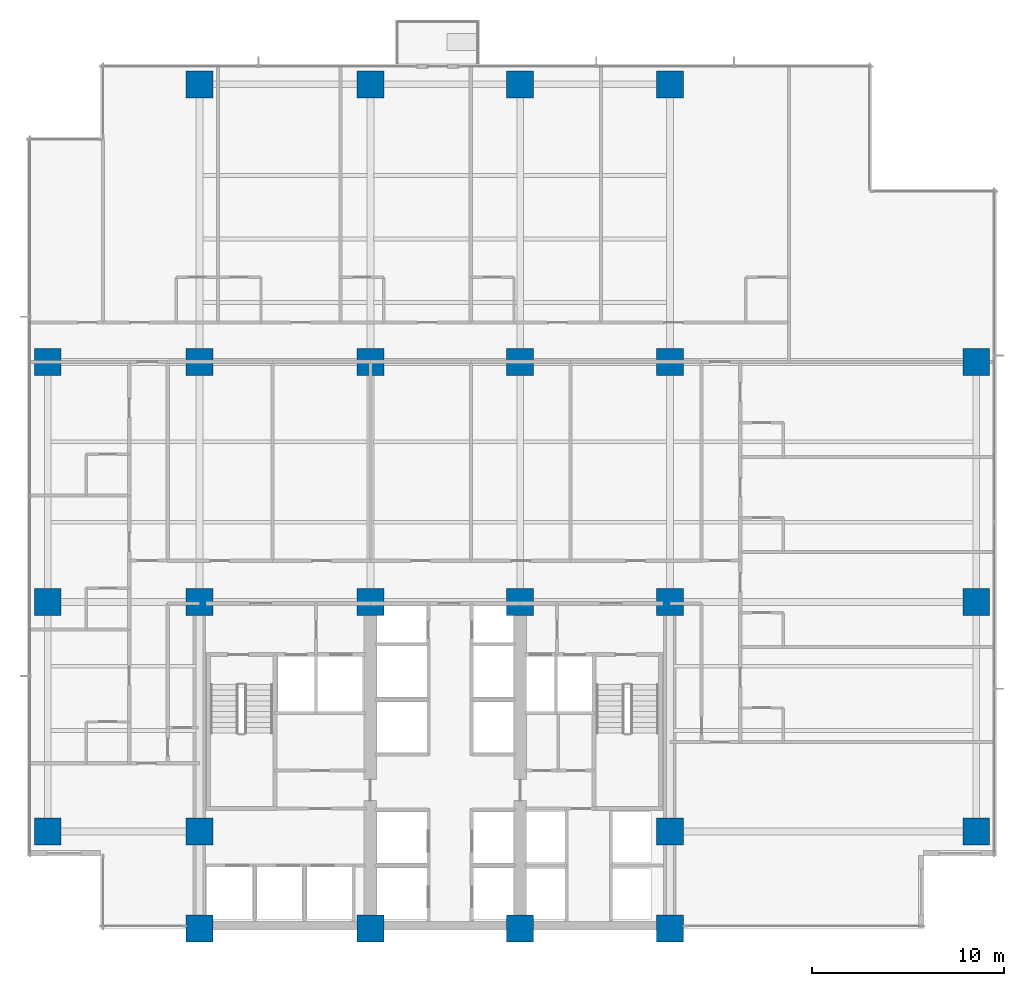
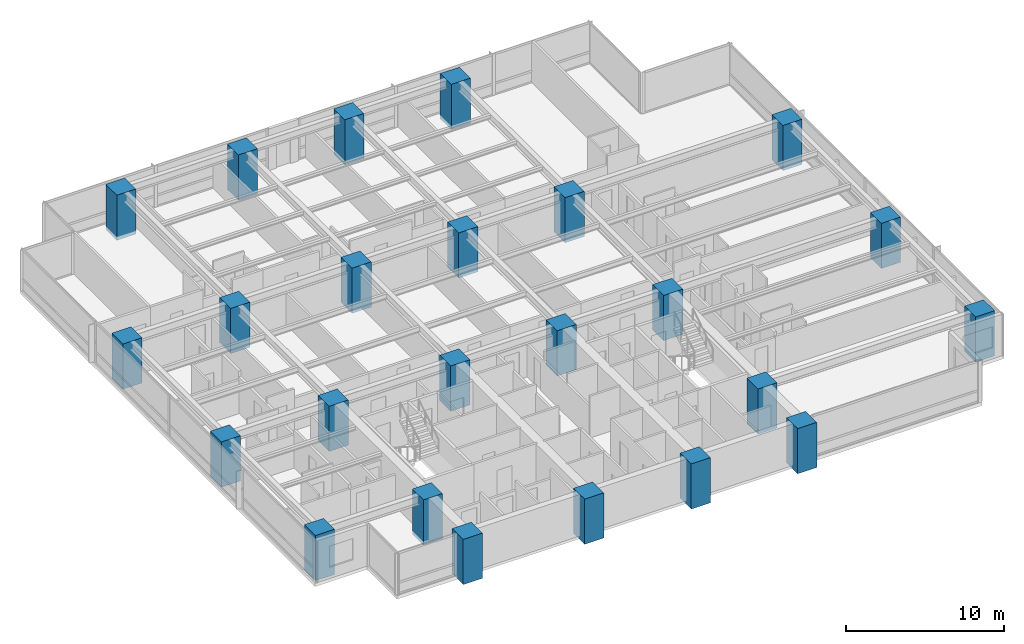
# One storey, part 1 of 16: 24 columns.
"""IFC4 building model written with IfcOpenShell, lengths in metres."""

from ifc_helpers import new_model, si_unit, direction, frame, origin, origin_2d, place, context, subcontext, project, spatial, rectangle, extrude, material, material_profile, profile_set, type_object, element, save


model = new_model("IFC4")

# Units and contexts
model_context = context("Model", 3, precision=1e-05, world=origin(), true_north=direction((0.0, 1.0)))
body_context = subcontext(model_context, "Body", "Model", "MODEL_VIEW")
ifc_project = project(units=[si_unit("LENGTHUNIT", "METRE"), si_unit("AREAUNIT", "SQUARE_METRE"), si_unit("VOLUMEUNIT", "CUBIC_METRE"), si_unit("PLANEANGLEUNIT", "RADIAN"), si_unit("MASSUNIT", "GRAM", prefix="KILO")], contexts=[model_context])

# Site, building, storey
site_placement = place(None, origin())
site = spatial("IfcSite", under=ifc_project, at=site_placement, CompositionType="ELEMENT")
building_placement = place(site_placement, origin())
building = spatial("IfcBuilding", under=site, at=building_placement, Name="Qalmaran Belvedere Hotel", CompositionType="ELEMENT")
storey_placement = place(building_placement, frame((0.0, 0.0, 36.89990234375)))
storey = spatial("IfcBuildingStorey", under=building, at=storey_placement, Name="L08", CompositionType="ELEMENT", Elevation=36.89990234375)

# Columns
ifc_material = material(Name="Concrete C60/75", Category="concrete")
ifc_material_profile = material_profile(ifc_material, rectangle(XDim=1.39990234375, YDim=1.39990234375, at=origin_2d()), Name="CC1400X1400")
ifc_profile_set = profile_set([ifc_material_profile], Name="Concrete C60/75")
column_type = type_object("IfcColumnType", Name="COL-Z1-CC1400", PredefinedType="COLUMN", material=ifc_profile_set)
for number, where, z_axis, x_axis, name in (
    (1, (20.300048828125, 3.5, -0.27978515625), (0.0, 0.0, 1.0), (1.0, 0.0, 0.0), "L08 Column C4B"),
    (2, (29.199951171875, 3.5, -0.27978515625), (0.0, 0.0, 1.0), (1.0, 0.0, 0.0), "L08 Column C5B"),
    (3, (37.0, 3.5, -0.27978515625), (0.0, 0.0, 1.0), (1.0, 0.0, 0.0), "L08 Column C6B"),
    (4, (44.800048828125, 3.5, -0.27978515625), (0.0, 0.0, 1.0), (1.0, 0.0, 0.0), "L08 Column C7B"),
    (5, (20.300048828125, 8.550048828125, -0.27978515625), (0.0, 0.0, 1.0), (1.0, 0.0, 0.0), "L08 Column C4C"),
    (6, (44.800048828125, 8.550048828125, -0.27978515625), (0.0, 0.0, 1.0), (1.0, 0.0, 0.0), "L08 Column C7C"),
    (7, (20.300048828125, 20.5, -0.27978515625), (0.0, 0.0, 1.0), (1.0, 0.0, 0.0), "L08 Column C4D"),
    (8, (29.199951171875, 20.5, -0.27978515625), (0.0, 0.0, 1.0), (1.0, 0.0, 0.0), "L08 Column C5D"),
    (9, (37.0, 20.5, -0.27978515625), (0.0, 0.0, 1.0), (1.0, 0.0, 0.0), "L08 Column C6D"),
    (10, (44.800048828125, 20.5, -0.27978515625), (0.0, 0.0, 1.0), (1.0, 0.0, 0.0), "L08 Column C7D"),
    (11, (20.300048828125, 33.0, -0.27978515625), (0.0, 0.0, 1.0), (1.0, 0.0, 0.0), "L08 Column C4F"),
    (12, (29.199951171875, 33.0, -0.27978515625), (0.0, 0.0, 1.0), (1.0, 0.0, 0.0), "L08 Column C5F"),
    (13, (37.0, 33.0, -0.27978515625), (0.0, 0.0, 1.0), (1.0, 0.0, 0.0), "L08 Column C6F"),
    (14, (44.800048828125, 33.0, -0.27978515625), (0.0, 0.0, 1.0), (1.0, 0.0, 0.0), "L08 Column C7F"),
    (15, (12.39990234375, 8.550048828125, -0.27978515625), (0.0, 0.0, 1.0), (1.0, 0.0, 0.0), "L08 Column CW1"),
    (16, (12.39990234375, 20.5, -0.27978515625), (0.0, 0.0, 1.0), (1.0, 0.0, 0.0), "L08 Column CW3"),
    (17, (12.39990234375, 33.0, -0.27978515625), (0.0, 0.0, 1.0), (1.0, 0.0, 0.0), "L08 Column CW4"),
    (18, (60.75, 8.550048828125, -0.27978515625), (0.0, 0.0, 1.0), (1.0, 0.0, 0.0), "L08 Column CE1"),
    (19, (60.75, 20.5, -0.27978515625), (0.0, 0.0, 1.0), (1.0, 0.0, 0.0), "L08 Column CE3"),
    (20, (60.75, 33.0, -0.27978515625), (0.0, 0.0, 1.0), (1.0, 0.0, 0.0), "L08 Column CE4"),
    (21, (20.300048828125, 47.449951171875, -0.27978515625), (0.0, 0.0, 1.0), (1.0, 0.0, 0.0), "L08 Column CN1"),
    (22, (29.199951171875, 47.449951171875, -0.27978515625), (0.0, 0.0, 1.0), (1.0, 0.0, 0.0), "L08 Column CN2"),
    (23, (37.0, 47.449951171875, -0.27978515625), (0.0, 0.0, 1.0), (1.0, 0.0, 0.0), "L08 Column CN3"),
    (24, (44.800048828125, 47.449951171875, -0.27978515625), (0.0, 0.0, 1.0), (1.0, 0.0, 0.0), "L08 Column CN4"),
):
    element("IfcColumn", number, at=place(storey_placement, frame(where, z_axis=z_axis, x_axis=x_axis)), inside=storey, type_object=column_type, Name=name, PredefinedType="COLUMN", context=body_context, shape_type="SweptSolid", body=[
        extrude(rectangle(XDim=1.39990234375, YDim=1.39990234375, at=origin_2d()), origin(), (0.0, 0.0, 1.0), 3.5),
    ])

save(model, "model.ifc")
